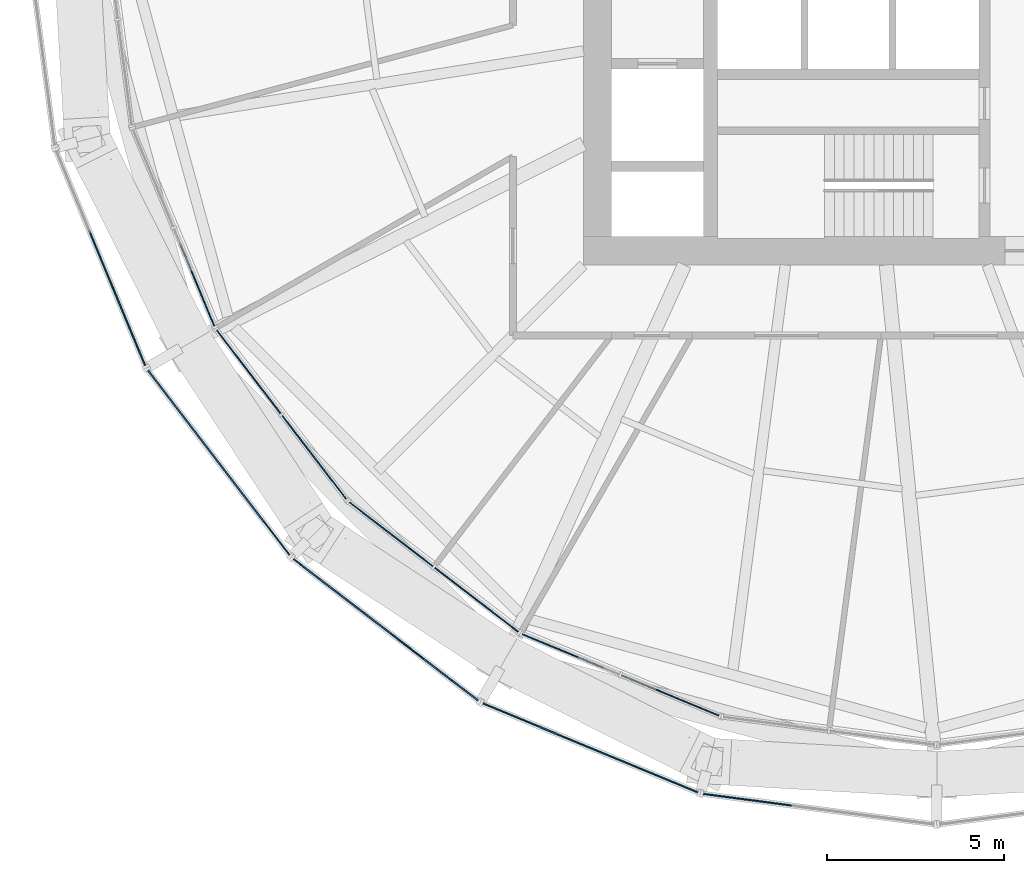
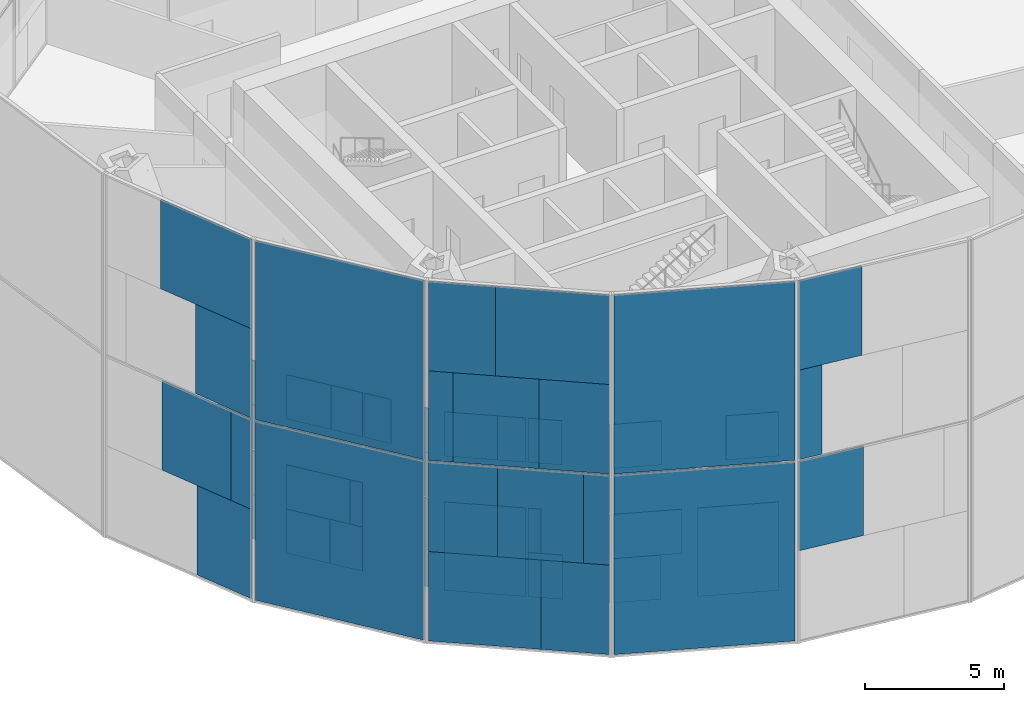
# One storey, part 10 of 22: 61 plates, 9 elements without a shape of their own.
"""IFC4 building model written with IfcOpenShell, lengths in metres."""

from ifc_helpers import new_model, si_unit, direction, frame, origin, origin_2d, place, context, subcontext, project, spatial, rectangle, extrude, material, layer, layer_set, type_object, element, aggregate, save


model = new_model("IFC4")

# Units and contexts
model_context = context("Model", 3, precision=1e-05, world=origin(), true_north=direction((0.0, 1.0)))
body_context = subcontext(model_context, "Body", "Model", "MODEL_VIEW")
ifc_project = project(units=[si_unit("LENGTHUNIT", "METRE"), si_unit("AREAUNIT", "SQUARE_METRE"), si_unit("VOLUMEUNIT", "CUBIC_METRE"), si_unit("PLANEANGLEUNIT", "RADIAN"), si_unit("MASSUNIT", "GRAM", prefix="KILO")], contexts=[model_context])

# Site, building, storey
site_placement = place(None, origin())
site = spatial("IfcSite", under=ifc_project, at=site_placement, CompositionType="ELEMENT")
building_placement = place(site_placement, origin())
building = spatial("IfcBuilding", under=site, at=building_placement, Name="Golbaran Civic Tower", CompositionType="ELEMENT")
storey_placement = place(building_placement, frame((0.0, 0.0, 53.0)))
storey = spatial("IfcBuildingStorey", under=building, at=storey_placement, Name="L12", CompositionType="ELEMENT", Elevation=53.0)

# Curtain wall, plates
ifc_material_1 = material(Name="Aluminium and glass", Category="aluminium")
curtain_wall_type_1 = type_object("IfcCurtainWallType", Name="INNER SKIN CURTAIN WALL", PredefinedType="NOTDEFINED", material=ifc_material_1)
curtain_wall_1_placement = place(storey_placement, origin())
curtain_wall_1 = element("IfcCurtainWall", 1, at=curtain_wall_1_placement, inside=storey, type_object=curtain_wall_type_1, Name="Inner skin L12 facet 14 CW1", ObjectType="INNER SKIN", PredefinedType="USERDEFINED")
ifc_material_2 = material(Name="Clear insulating glass", Category="glass")
ifc_layer_1 = layer(ifc_material_2, 0.031982421875, Name="Clear insulating glass")
ifc_layer_set_1 = layer_set([ifc_layer_1], Name="Clear insulating glass")
plate_type_1 = type_object("IfcPlateType", Name="INNER SKIN CURTAIN WALL GLAZED PANEL", PredefinedType="CURTAIN_PANEL", material=ifc_layer_set_1)
plate_1_placement = place(storey_placement, frame((-20.63232421875, -11.292724609375, 4.032470703125), z_axis=(0.0, 0.0, 1.0), x_axis=(0.382683432413, -0.923879532491, 0.0)))
plate_1 = element("IfcPlate", 2, at=plate_1_placement, type_object=plate_type_1, Name="CW1 panel 2.2 part 2", PredefinedType="CURTAIN_PANEL", context=body_context, shape_type="SweptSolid", body=[
    extrude(rectangle(XDim=0.951904296875, YDim=0.031982421875, at=origin_2d()), origin(), (0.0, 0.0, 1.0), 1.951171875),
])
plate_2_placement = place(storey_placement, frame((-20.783203125, -10.92822265625, 5.98388671875), z_axis=(0.0, 0.0, 1.0), x_axis=(0.382683432413, -0.923879532491, 0.0)))
plate_2 = element("IfcPlate", 3, at=plate_2_placement, type_object=plate_type_1, Name="CW1 panel 2.2 part 4", PredefinedType="CURTAIN_PANEL", context=body_context, shape_type="SweptSolid", body=[
    extrude(rectangle(XDim=1.740966796875, YDim=0.031982421875, at=origin_2d()), origin(), (0.0, 0.0, 1.0), 1.951171875),
])

curtain_wall_2_placement = place(storey_placement, origin())
curtain_wall_2 = element("IfcCurtainWall", 4, at=curtain_wall_2_placement, inside=storey, type_object=curtain_wall_type_1, Name="Inner skin L12 facet 15 CW1", ObjectType="INNER SKIN", PredefinedType="USERDEFINED")
plate_3_placement = place(storey_placement, frame((-18.957763671875, -13.704833984375, 0.06494140625), z_axis=(0.0, 0.0, 1.0), x_axis=(0.608761429036, -0.79335334027, 0.0)))
plate_3 = element("IfcPlate", 5, at=plate_3_placement, type_object=plate_type_1, Name="CW1 panel 1.1 part 2", PredefinedType="CURTAIN_PANEL", context=body_context, shape_type="SweptSolid", body=[
    extrude(rectangle(XDim=1.27099609375, YDim=0.031982421875, at=origin_2d()), origin(), (0.0, 0.0, 1.0), 1.951171875),
])
plate_4_placement = place(storey_placement, frame((-18.71875, -14.016357421875, 2.016357421875), z_axis=(0.0, 0.0, 1.0), x_axis=(0.608761429036, -0.79335334027, 0.0)))
plate_4 = element("IfcPlate", 6, at=plate_4_placement, type_object=plate_type_1, Name="CW1 panel 1.1 part 4", PredefinedType="CURTAIN_PANEL", context=body_context, shape_type="SweptSolid", body=[
    extrude(rectangle(XDim=0.48583984375, YDim=0.031982421875, at=origin_2d()), origin(), (0.0, 0.0, 1.0), 1.951171875),
])
plate_5_placement = place(storey_placement, frame((-20.095947265625, -12.2216796875, 4.032470703125), z_axis=(0.0, 0.0, 1.0), x_axis=(0.608761429036, -0.79335334027, 0.0)))
plate_5 = element("IfcPlate", 7, at=plate_5_placement, type_object=plate_type_1, Name="CW1 panel 1.2 part 1", PredefinedType="CURTAIN_PANEL", context=body_context, shape_type="SweptSolid", body=[
    extrude(rectangle(XDim=0.951904296875, YDim=0.031982421875, at=origin_2d()), origin(), (0.0, 0.0, 1.0), 1.951171875),
])
plate_6_placement = place(storey_placement, frame((-19.855712890625, -12.53466796875, 5.98388671875), z_axis=(0.0, 0.0, 1.0), x_axis=(0.608761429036, -0.79335334027, 0.0)))
plate_6 = element("IfcPlate", 8, at=plate_6_placement, type_object=plate_type_1, Name="CW1 panel 1.2 part 3", PredefinedType="CURTAIN_PANEL", context=body_context, shape_type="SweptSolid", body=[
    extrude(rectangle(XDim=1.740966796875, YDim=0.031982421875, at=origin_2d()), origin(), (0.0, 0.0, 1.0), 1.951171875),
])
plate_7_placement = place(storey_placement, frame((-17.6240234375, -15.443115234375, 0.06494140625), z_axis=(0.0, 0.0, 1.0), x_axis=(0.608761429036, -0.79335334027, 0.0)))
plate_7 = element("IfcPlate", 9, at=plate_7_placement, type_object=plate_type_1, Name="CW1 panel 2.1", PredefinedType="CURTAIN_PANEL", context=body_context, shape_type="SweptSolid", body=[
    extrude(rectangle(XDim=2.98095703125, YDim=0.031982421875, at=origin_2d()), origin(), (0.0, 0.0, 1.0), 3.902587890625),
])
plate_8_placement = place(storey_placement, frame((-17.502197265625, -15.601806640625, 4.032470703125), z_axis=(0.0, 0.0, 1.0), x_axis=(0.608761429036, -0.79335334027, 0.0)))
plate_8 = element("IfcPlate", 10, at=plate_8_placement, type_object=plate_type_1, Name="CW1 panel 2.2 part 2", PredefinedType="CURTAIN_PANEL", context=body_context, shape_type="SweptSolid", body=[
    extrude(rectangle(XDim=2.5810546875, YDim=0.031982421875, at=origin_2d()), origin(), (0.0, 0.0, 1.0), 1.951171875),
])
plate_9_placement = place(storey_placement, frame((-17.305908203125, -15.857666015625, 5.98388671875), z_axis=(0.0, 0.0, 1.0), x_axis=(0.608761429036, -0.79335334027, 0.0)))
plate_9 = element("IfcPlate", 11, at=plate_9_placement, type_object=plate_type_1, Name="CW1 panel 2.2 part 4", PredefinedType="CURTAIN_PANEL", context=body_context, shape_type="SweptSolid", body=[
    extrude(rectangle(XDim=1.93603515625, YDim=0.031982421875, at=origin_2d()), origin(), (0.0, 0.0, 1.0), 1.951171875),
])

curtain_wall_3_placement = place(storey_placement, origin())
curtain_wall_3 = element("IfcCurtainWall", 12, at=curtain_wall_3_placement, inside=storey, type_object=curtain_wall_type_1, Name="Inner skin L12 facet 16 CW1", ObjectType="INNER SKIN", PredefinedType="USERDEFINED")
plate_10_placement = place(storey_placement, frame((-15.443115234375, -17.6240234375, 0.06494140625), z_axis=(0.0, 0.0, 1.0), x_axis=(0.79335334027, -0.608761429036, 0.0)))
plate_10 = element("IfcPlate", 13, at=plate_10_placement, type_object=plate_type_1, Name="CW1 panel 1.1", PredefinedType="CURTAIN_PANEL", context=body_context, shape_type="SweptSolid", body=[
    extrude(rectangle(XDim=2.98095703125, YDim=0.031982421875, at=origin_2d()), origin(), (0.0, 0.0, 1.0), 3.902587890625),
])
plate_11_placement = place(storey_placement, frame((-15.6025390625, -17.501708984375, 4.032470703125), z_axis=(0.0, 0.0, 1.0), x_axis=(0.79335334027, -0.608761429036, 0.0)))
plate_11 = element("IfcPlate", 14, at=plate_11_placement, type_object=plate_type_1, Name="CW1 panel 1.2 part 1", PredefinedType="CURTAIN_PANEL", context=body_context, shape_type="SweptSolid", body=[
    extrude(rectangle(XDim=2.5791015625, YDim=0.031982421875, at=origin_2d()), origin(), (0.0, 0.0, 1.0), 1.951171875),
])
plate_12_placement = place(storey_placement, frame((-15.857666015625, -17.305908203125, 5.98388671875), z_axis=(0.0, 0.0, 1.0), x_axis=(0.79335334027, -0.608761429036, 0.0)))
plate_12 = element("IfcPlate", 15, at=plate_12_placement, type_object=plate_type_1, Name="CW1 panel 1.2 part 3", PredefinedType="CURTAIN_PANEL", context=body_context, shape_type="SweptSolid", body=[
    extrude(rectangle(XDim=1.93603515625, YDim=0.031982421875, at=origin_2d()), origin(), (0.0, 0.0, 1.0), 1.951171875),
])
plate_13_placement = place(storey_placement, frame((-13.704833984375, -18.957763671875, 0.06494140625), z_axis=(0.0, 0.0, 1.0), x_axis=(0.79335334027, -0.608761429036, 0.0)))
plate_13 = element("IfcPlate", 16, at=plate_13_placement, type_object=plate_type_1, Name="CW1 panel 2.1 part 1", PredefinedType="CURTAIN_PANEL", context=body_context, shape_type="SweptSolid", body=[
    extrude(rectangle(XDim=1.27099609375, YDim=0.031982421875, at=origin_2d()), origin(), (0.0, 0.0, 1.0), 1.951171875),
])
plate_14_placement = place(storey_placement, frame((-14.016357421875, -18.718994140625, 2.016357421875), z_axis=(0.0, 0.0, 1.0), x_axis=(0.79335334027, -0.608761429036, 0.0)))
plate_14 = element("IfcPlate", 17, at=plate_14_placement, type_object=plate_type_1, Name="CW1 panel 2.1 part 3", PredefinedType="CURTAIN_PANEL", context=body_context, shape_type="SweptSolid", body=[
    extrude(rectangle(XDim=0.486083984375, YDim=0.031982421875, at=origin_2d()), origin(), (0.0, 0.0, 1.0), 1.951171875),
])
plate_15_placement = place(storey_placement, frame((-12.2216796875, -20.095947265625, 4.032470703125), z_axis=(0.0, 0.0, 1.0), x_axis=(0.79335334027, -0.608761429036, 0.0)))
plate_15 = element("IfcPlate", 18, at=plate_15_placement, type_object=plate_type_1, Name="CW1 panel 2.2 part 2", PredefinedType="CURTAIN_PANEL", context=body_context, shape_type="SweptSolid", body=[
    extrude(rectangle(XDim=0.951904296875, YDim=0.031982421875, at=origin_2d()), origin(), (0.0, 0.0, 1.0), 1.951171875),
])
plate_16_placement = place(storey_placement, frame((-12.53466796875, -19.855712890625, 5.98388671875), z_axis=(0.0, 0.0, 1.0), x_axis=(0.79335334027, -0.608761429036, 0.0)))
plate_16 = element("IfcPlate", 19, at=plate_16_placement, type_object=plate_type_1, Name="CW1 panel 2.2 part 4", PredefinedType="CURTAIN_PANEL", context=body_context, shape_type="SweptSolid", body=[
    extrude(rectangle(XDim=1.740966796875, YDim=0.031982421875, at=origin_2d()), origin(), (0.0, 0.0, 1.0), 1.951171875),
])

curtain_wall_4_placement = place(storey_placement, origin())
curtain_wall_4 = element("IfcCurtainWall", 20, at=curtain_wall_4_placement, inside=storey, type_object=curtain_wall_type_1, Name="Inner skin L12 facet 17 CW1", ObjectType="INNER SKIN", PredefinedType="USERDEFINED")
plate_17_placement = place(storey_placement, frame((-11.292724609375, -20.63232421875, 4.032470703125), z_axis=(0.0, 0.0, 1.0), x_axis=(0.923879532491, -0.382683432413, 0.0)))
plate_17 = element("IfcPlate", 21, at=plate_17_placement, type_object=plate_type_1, Name="CW1 panel 1.2 part 1", PredefinedType="CURTAIN_PANEL", context=body_context, shape_type="SweptSolid", body=[
    extrude(rectangle(XDim=0.951904296875, YDim=0.031982421875, at=origin_2d()), origin(), (0.0, 0.0, 1.0), 1.951171875),
])
plate_18_placement = place(storey_placement, frame((-10.92822265625, -20.783203125, 5.98388671875), z_axis=(0.0, 0.0, 1.0), x_axis=(0.923879532491, -0.382683432413, 0.0)))
plate_18 = element("IfcPlate", 22, at=plate_18_placement, type_object=plate_type_1, Name="CW1 panel 1.2 part 3", PredefinedType="CURTAIN_PANEL", context=body_context, shape_type="SweptSolid", body=[
    extrude(rectangle(XDim=1.740966796875, YDim=0.031982421875, at=origin_2d()), origin(), (0.0, 0.0, 1.0), 1.951171875),
])
plate_19_placement = place(storey_placement, frame((-7.541259765625, -22.18603515625, 0.06494140625), z_axis=(0.0, 0.0, 1.0), x_axis=(0.923879532491, -0.382683432413, 0.0)))
plate_19 = element("IfcPlate", 23, at=plate_19_placement, type_object=plate_type_1, Name="CW1 panel 2.1", PredefinedType="CURTAIN_PANEL", context=body_context, shape_type="SweptSolid", body=[
    extrude(rectangle(XDim=2.98095703125, YDim=0.031982421875, at=origin_2d()), origin(), (0.0, 0.0, 1.0), 3.902587890625),
])
plate_20_placement = place(storey_placement, frame((-7.3564453125, -22.2626953125, 4.032470703125), z_axis=(0.0, 0.0, 1.0), x_axis=(0.923879532491, -0.382683432413, 0.0)))
plate_20 = element("IfcPlate", 24, at=plate_20_placement, type_object=plate_type_1, Name="CW1 panel 2.2 part 2", PredefinedType="CURTAIN_PANEL", context=body_context, shape_type="SweptSolid", body=[
    extrude(rectangle(XDim=2.5810546875, YDim=0.031982421875, at=origin_2d()), origin(), (0.0, 0.0, 1.0), 1.951171875),
])
plate_21_placement = place(storey_placement, frame((-7.05859375, -22.385986328125, 5.98388671875), z_axis=(0.0, 0.0, 1.0), x_axis=(0.923879532491, -0.382683432413, 0.0)))
plate_21 = element("IfcPlate", 25, at=plate_21_placement, type_object=plate_type_1, Name="CW1 panel 2.2 part 4", PredefinedType="CURTAIN_PANEL", context=body_context, shape_type="SweptSolid", body=[
    extrude(rectangle(XDim=1.93603515625, YDim=0.031982421875, at=origin_2d()), origin(), (0.0, 0.0, 1.0), 1.951171875),
])

# Plate
ifc_material_3 = material(Name="Aluminium faced opaque infill panel", Category="aluminium")
ifc_layer_2 = layer(ifc_material_3, 0.031982421875, Name="Aluminium faced opaque infill panel")
ifc_layer_set_2 = layer_set([ifc_layer_2], Name="Aluminium faced opaque infill panel")
plate_type_2 = type_object("IfcPlateType", Name="INNER SKIN CURTAIN WALL OPAQUE INFILL PANEL", PredefinedType="CURTAIN_PANEL", material=ifc_layer_set_2)
plate_22_placement = place(storey_placement, frame((-20.77734375, -10.942626953125, 0.06494140625), z_axis=(0.0, 0.0, 1.0), x_axis=(0.382683432413, -0.923879532491, 0.0)))
plate_22 = element("IfcPlate", 26, at=plate_22_placement, type_object=plate_type_2, Name="CW1 infill panel 2.1 part 2", PredefinedType="CURTAIN_PANEL", context=body_context, shape_type="SweptSolid", body=[
    extrude(rectangle(XDim=1.7099609375, YDim=0.031982421875, at=origin_2d()), origin(), (0.0, 0.0, 1.0), 1.951171875),
])

plate_23_placement = place(storey_placement, frame((-20.927490234375, -10.579833984375, 2.016357421875), z_axis=(0.0, 0.0, 1.0), x_axis=(0.382683432413, -0.923879532491, 0.0)))
plate_23 = element("IfcPlate", 27, at=plate_23_placement, type_object=plate_type_2, Name="CW1 infill panel 2.1 part 4", PredefinedType="CURTAIN_PANEL", context=body_context, shape_type="SweptSolid", body=[
    extrude(rectangle(XDim=2.494873046875, YDim=0.031982421875, at=origin_2d()), origin(), (0.0, 0.0, 1.0), 1.951171875),
])

plate_24_placement = place(storey_placement, frame((-21.20263671875, -9.915771484375, 4.032470703125), z_axis=(0.0, 0.0, 1.0), x_axis=(0.382683432413, -0.923879532491, 0.0)))
plate_24 = element("IfcPlate", 28, at=plate_24_placement, type_object=plate_type_2, Name="CW1 infill panel 2.2 part 1", PredefinedType="CURTAIN_PANEL", context=body_context, shape_type="SweptSolid", body=[
    extrude(rectangle(XDim=2.029052734375, YDim=0.031982421875, at=origin_2d()), origin(), (0.0, 0.0, 1.0), 1.951171875),
])

aggregate(curtain_wall_1, [plate_22, plate_23, plate_24, plate_1, plate_2])

plate_25_placement = place(storey_placement, frame((-19.865234375, -12.5224609375, 0.06494140625), z_axis=(0.0, 0.0, 1.0), x_axis=(0.608761429036, -0.79335334027, 0.0)))
plate_25 = element("IfcPlate", 29, at=plate_25_placement, type_object=plate_type_2, Name="CW1 infill panel 1.1 part 1", PredefinedType="CURTAIN_PANEL", context=body_context, shape_type="SweptSolid", body=[
    extrude(rectangle(XDim=1.7099609375, YDim=0.031982421875, at=origin_2d()), origin(), (0.0, 0.0, 1.0), 1.951171875),
])

plate_26_placement = place(storey_placement, frame((-19.626220703125, -12.833740234375, 2.016357421875), z_axis=(0.0, 0.0, 1.0), x_axis=(0.608761429036, -0.79335334027, 0.0)))
plate_26 = element("IfcPlate", 30, at=plate_26_placement, type_object=plate_type_2, Name="CW1 infill panel 1.1 part 3", PredefinedType="CURTAIN_PANEL", context=body_context, shape_type="SweptSolid", body=[
    extrude(rectangle(XDim=2.4951171875, YDim=0.031982421875, at=origin_2d()), origin(), (0.0, 0.0, 1.0), 1.951171875),
])

plate_27_placement = place(storey_placement, frame((-19.1884765625, -13.404296875, 4.032470703125), z_axis=(0.0, 0.0, 1.0), x_axis=(0.608761429036, -0.79335334027, 0.0)))
plate_27 = element("IfcPlate", 31, at=plate_27_placement, type_object=plate_type_2, Name="CW1 infill panel 1.2 part 2", PredefinedType="CURTAIN_PANEL", context=body_context, shape_type="SweptSolid", body=[
    extrude(rectangle(XDim=2.029052734375, YDim=0.031982421875, at=origin_2d()), origin(), (0.0, 0.0, 1.0), 1.951171875),
])

plate_28_placement = place(storey_placement, frame((-18.948486328125, -13.717041015625, 5.98388671875), z_axis=(0.0, 0.0, 1.0), x_axis=(0.608761429036, -0.79335334027, 0.0)))
plate_28 = element("IfcPlate", 32, at=plate_28_placement, type_object=plate_type_2, Name="CW1 infill panel 1.2 part 4", PredefinedType="CURTAIN_PANEL", context=body_context, shape_type="SweptSolid", body=[
    extrude(rectangle(XDim=1.239990234375, YDim=0.031982421875, at=origin_2d()), origin(), (0.0, 0.0, 1.0), 1.951171875),
])

plate_29_placement = place(storey_placement, frame((-18.40966796875, -14.419189453125, 4.032470703125), z_axis=(0.0, 0.0, 1.0), x_axis=(0.608761429036, -0.79335334027, 0.0)))
plate_29 = element("IfcPlate", 33, at=plate_29_placement, type_object=plate_type_2, Name="CW1 infill panel 2.2 part 1", PredefinedType="CURTAIN_PANEL", context=body_context, shape_type="SweptSolid", body=[
    extrude(rectangle(XDim=0.39990234375, YDim=0.031982421875, at=origin_2d()), origin(), (0.0, 0.0, 1.0), 1.951171875),
])

plate_30_placement = place(storey_placement, frame((-18.21337890625, -14.675048828125, 5.98388671875), z_axis=(0.0, 0.0, 1.0), x_axis=(0.608761429036, -0.79335334027, 0.0)))
plate_30 = element("IfcPlate", 34, at=plate_30_placement, type_object=plate_type_2, Name="CW1 infill panel 2.2 part 3", PredefinedType="CURTAIN_PANEL", context=body_context, shape_type="SweptSolid", body=[
    extrude(rectangle(XDim=1.044921875, YDim=0.031982421875, at=origin_2d()), origin(), (0.0, 0.0, 1.0), 1.951171875),
])

aggregate(curtain_wall_2, [plate_25, plate_3, plate_26, plate_4, plate_5, plate_27, plate_6, plate_28, plate_7, plate_29, plate_8, plate_30, plate_9])

plate_31_placement = place(storey_placement, frame((-14.419921875, -18.408935546875, 4.032470703125), z_axis=(0.0, 0.0, 1.0), x_axis=(0.79335334027, -0.608761429036, 0.0)))
plate_31 = element("IfcPlate", 35, at=plate_31_placement, type_object=plate_type_2, Name="CW1 infill panel 1.2 part 2", PredefinedType="CURTAIN_PANEL", context=body_context, shape_type="SweptSolid", body=[
    extrude(rectangle(XDim=0.40185546875, YDim=0.031982421875, at=origin_2d()), origin(), (0.0, 0.0, 1.0), 1.951171875),
])

plate_32_placement = place(storey_placement, frame((-14.675048828125, -18.21337890625, 5.98388671875), z_axis=(0.0, 0.0, 1.0), x_axis=(0.79335334027, -0.608761429036, 0.0)))
plate_32 = element("IfcPlate", 36, at=plate_32_placement, type_object=plate_type_2, Name="CW1 infill panel 1.2 part 4", PredefinedType="CURTAIN_PANEL", context=body_context, shape_type="SweptSolid", body=[
    extrude(rectangle(XDim=1.044921875, YDim=0.031982421875, at=origin_2d()), origin(), (0.0, 0.0, 1.0), 1.951171875),
])

plate_33_placement = place(storey_placement, frame((-12.5224609375, -19.865234375, 0.06494140625), z_axis=(0.0, 0.0, 1.0), x_axis=(0.79335334027, -0.608761429036, 0.0)))
plate_33 = element("IfcPlate", 37, at=plate_33_placement, type_object=plate_type_2, Name="CW1 infill panel 2.1 part 2", PredefinedType="CURTAIN_PANEL", context=body_context, shape_type="SweptSolid", body=[
    extrude(rectangle(XDim=1.7099609375, YDim=0.031982421875, at=origin_2d()), origin(), (0.0, 0.0, 1.0), 1.951171875),
])

plate_34_placement = place(storey_placement, frame((-12.833740234375, -19.626220703125, 2.016357421875), z_axis=(0.0, 0.0, 1.0), x_axis=(0.79335334027, -0.608761429036, 0.0)))
plate_34 = element("IfcPlate", 38, at=plate_34_placement, type_object=plate_type_2, Name="CW1 infill panel 2.1 part 4", PredefinedType="CURTAIN_PANEL", context=body_context, shape_type="SweptSolid", body=[
    extrude(rectangle(XDim=2.494873046875, YDim=0.031982421875, at=origin_2d()), origin(), (0.0, 0.0, 1.0), 1.951171875),
])

plate_35_placement = place(storey_placement, frame((-13.404052734375, -19.1884765625, 4.032470703125), z_axis=(0.0, 0.0, 1.0), x_axis=(0.79335334027, -0.608761429036, 0.0)))
plate_35 = element("IfcPlate", 39, at=plate_35_placement, type_object=plate_type_2, Name="CW1 infill panel 2.2 part 1", PredefinedType="CURTAIN_PANEL", context=body_context, shape_type="SweptSolid", body=[
    extrude(rectangle(XDim=2.029052734375, YDim=0.031982421875, at=origin_2d()), origin(), (0.0, 0.0, 1.0), 1.951171875),
])

plate_36_placement = place(storey_placement, frame((-13.717041015625, -18.948486328125, 5.98388671875), z_axis=(0.0, 0.0, 1.0), x_axis=(0.79335334027, -0.608761429036, 0.0)))
plate_36 = element("IfcPlate", 40, at=plate_36_placement, type_object=plate_type_2, Name="CW1 infill panel 2.2 part 3", PredefinedType="CURTAIN_PANEL", context=body_context, shape_type="SweptSolid", body=[
    extrude(rectangle(XDim=1.239990234375, YDim=0.031982421875, at=origin_2d()), origin(), (0.0, 0.0, 1.0), 1.951171875),
])

aggregate(curtain_wall_3, [plate_10, plate_11, plate_31, plate_12, plate_32, plate_13, plate_33, plate_14, plate_34, plate_35, plate_15, plate_36, plate_16])

plate_37_placement = place(storey_placement, frame((-10.942626953125, -20.77734375, 0.06494140625), z_axis=(0.0, 0.0, 1.0), x_axis=(0.923879532491, -0.382683432413, 0.0)))
plate_37 = element("IfcPlate", 41, at=plate_37_placement, type_object=plate_type_2, Name="CW1 infill panel 1.1 part 1", PredefinedType="CURTAIN_PANEL", context=body_context, shape_type="SweptSolid", body=[
    extrude(rectangle(XDim=1.7099609375, YDim=0.031982421875, at=origin_2d()), origin(), (0.0, 0.0, 1.0), 1.951171875),
])

plate_38_placement = place(storey_placement, frame((-10.579833984375, -20.927490234375, 2.016357421875), z_axis=(0.0, 0.0, 1.0), x_axis=(0.923879532491, -0.382683432413, 0.0)))
plate_38 = element("IfcPlate", 42, at=plate_38_placement, type_object=plate_type_2, Name="CW1 infill panel 1.1 part 3", PredefinedType="CURTAIN_PANEL", context=body_context, shape_type="SweptSolid", body=[
    extrude(rectangle(XDim=2.4951171875, YDim=0.031982421875, at=origin_2d()), origin(), (0.0, 0.0, 1.0), 1.951171875),
])

plate_39_placement = place(storey_placement, frame((-9.915771484375, -21.20263671875, 4.032470703125), z_axis=(0.0, 0.0, 1.0), x_axis=(0.923879532491, -0.382683432413, 0.0)))
plate_39 = element("IfcPlate", 43, at=plate_39_placement, type_object=plate_type_2, Name="CW1 infill panel 1.2 part 2", PredefinedType="CURTAIN_PANEL", context=body_context, shape_type="SweptSolid", body=[
    extrude(rectangle(XDim=2.029052734375, YDim=0.031982421875, at=origin_2d()), origin(), (0.0, 0.0, 1.0), 1.951171875),
])

aggregate(curtain_wall_4, [plate_37, plate_38, plate_17, plate_39, plate_18, plate_19, plate_20, plate_21])

# Curtain wall, plates
curtain_wall_type_2 = type_object("IfcCurtainWallType", Name="OUTER SKIN TERRACOTTA SCREEN", PredefinedType="NOTDEFINED", material=ifc_material_1)
curtain_wall_5_placement = place(storey_placement, origin())
curtain_wall_5 = element("IfcCurtainWall", 44, at=curtain_wall_5_placement, inside=storey, type_object=curtain_wall_type_2, Name="Outer skin L12 facet 14 CW3", ObjectType="OUTER SKIN", PredefinedType="USERDEFINED")
ifc_material_4 = material(Name="Clear laminated glass", Category="glass")
ifc_layer_3 = layer(ifc_material_4, 0.0400390625, Name="Clear laminated glass")
ifc_layer_set_3 = layer_set([ifc_layer_3], Name="Clear laminated glass")
plate_type_3 = type_object("IfcPlateType", Name="OUTER SKIN CLEAR GLASS PANEL", PredefinedType="CURTAIN_PANEL", material=ifc_layer_set_3)
plate_40_placement = place(storey_placement, frame((-22.588623046875, -12.414306640625, 3.31005859375), z_axis=(0.0, 0.0, 1.0), x_axis=(0.382683432349, -0.923879532518, 0.0)))
plate_40 = element("IfcPlate", 45, at=plate_40_placement, type_object=plate_type_3, Name="CW3 panel 1.1 part 5", PredefinedType="CURTAIN_PANEL", context=body_context, shape_type="SweptSolid", body=[
    extrude(rectangle(XDim=0.935791015625, YDim=0.0400390625, at=origin_2d()), origin(), (0.0, 0.0, 1.0), 3.93994140625),
])
plate_41_placement = place(storey_placement, frame((-22.89794921875, -11.667236328125, 7.330078125), z_axis=(0.0, 0.0, 1.0), x_axis=(0.382683432349, -0.923879532518, 0.0)))
plate_41 = element("IfcPlate", 46, at=plate_41_placement, type_object=plate_type_3, Name="CW3 panel 1.2 part 3", PredefinedType="CURTAIN_PANEL", context=body_context, shape_type="SweptSolid", body=[
    extrude(rectangle(XDim=2.552734375, YDim=0.0400390625, at=origin_2d()), origin(), (0.0, 0.0, 1.0), 3.93994140625),
])
plate_42_placement = place(storey_placement, frame((-23.201416015625, -10.93505859375, 11.27001953125), z_axis=(0.0, 0.0, 1.0), x_axis=(0.382683432349, -0.923879532518, 0.0)))
plate_42 = element("IfcPlate", 47, at=plate_42_placement, type_object=plate_type_3, Name="CW3 panel 1.2 part 5", PredefinedType="CURTAIN_PANEL", context=body_context, shape_type="SweptSolid", body=[
    extrude(rectangle(XDim=4.137939453125, YDim=0.0400390625, at=origin_2d()), origin(), (0.0, 0.0, 1.0), 3.93994140625),
])

curtain_wall_6_placement = place(storey_placement, origin())
curtain_wall_6 = element("IfcCurtainWall", 48, at=curtain_wall_6_placement, inside=storey, type_object=curtain_wall_type_2, Name="Outer skin L12 facet 16 CW3", ObjectType="OUTER SKIN", PredefinedType="USERDEFINED")
plate_43_placement = place(storey_placement, frame((-16.58056640625, -19.570556640625, -0.6298828125), z_axis=(0.0, 0.0, 1.0), x_axis=(0.793353340355, -0.608761428926, 0.0)))
plate_43 = element("IfcPlate", 49, at=plate_43_placement, type_object=plate_type_3, Name="CW3 panel 1.1 part 1", PredefinedType="CURTAIN_PANEL", context=body_context, shape_type="SweptSolid", body=[
    extrude(rectangle(XDim=4.10498046875, YDim=0.0400390625, at=origin_2d()), origin(), (0.0, 0.0, 1.0), 3.93994140625),
])
plate_44_placement = place(storey_placement, frame((-17.212890625, -19.08544921875, 3.31005859375), z_axis=(0.0, 0.0, 1.0), x_axis=(0.793353340355, -0.608761428926, 0.0)))
plate_44 = element("IfcPlate", 50, at=plate_44_placement, type_object=plate_type_3, Name="CW3 panel 1.1 part 3", PredefinedType="CURTAIN_PANEL", context=body_context, shape_type="SweptSolid", body=[
    extrude(rectangle(XDim=2.510986328125, YDim=0.0400390625, at=origin_2d()), origin(), (0.0, 0.0, 1.0), 3.93994140625),
])
plate_45_placement = place(storey_placement, frame((-13.355224609375, -22.04541015625, 3.31005859375), z_axis=(0.0, 0.0, 1.0), x_axis=(0.793353340355, -0.608761428926, 0.0)))
plate_45 = element("IfcPlate", 51, at=plate_45_placement, type_object=plate_type_3, Name="CW3 panel 1.1 part 5", PredefinedType="CURTAIN_PANEL", context=body_context, shape_type="SweptSolid", body=[
    extrude(rectangle(XDim=0.935791015625, YDim=0.0400390625, at=origin_2d()), origin(), (0.0, 0.0, 1.0), 3.93994140625),
])
plate_46_placement = place(storey_placement, frame((-17.857421875, -18.5908203125, 7.330078125), z_axis=(0.0, 0.0, 1.0), x_axis=(0.793353340355, -0.608761428926, 0.0)))
plate_46 = element("IfcPlate", 52, at=plate_46_placement, type_object=plate_type_3, Name="CW3 panel 1.2 part 1", PredefinedType="CURTAIN_PANEL", context=body_context, shape_type="SweptSolid", body=[
    extrude(rectangle(XDim=0.885986328125, YDim=0.0400390625, at=origin_2d()), origin(), (0.0, 0.0, 1.0), 3.93994140625),
])
plate_47_placement = place(storey_placement, frame((-13.99658203125, -21.55322265625, 7.330078125), z_axis=(0.0, 0.0, 1.0), x_axis=(0.793353340355, -0.608761428926, 0.0)))
plate_47 = element("IfcPlate", 53, at=plate_47_placement, type_object=plate_type_3, Name="CW3 panel 1.2 part 3", PredefinedType="CURTAIN_PANEL", context=body_context, shape_type="SweptSolid", body=[
    extrude(rectangle(XDim=2.552734375, YDim=0.0400390625, at=origin_2d()), origin(), (0.0, 0.0, 1.0), 3.93994140625),
])
plate_48_placement = place(storey_placement, frame((-14.625244140625, -21.07080078125, 11.27001953125), z_axis=(0.0, 0.0, 1.0), x_axis=(0.793353340355, -0.608761428926, 0.0)))
plate_48 = element("IfcPlate", 54, at=plate_48_placement, type_object=plate_type_3, Name="CW3 panel 1.2 part 5", PredefinedType="CURTAIN_PANEL", context=body_context, shape_type="SweptSolid", body=[
    extrude(rectangle(XDim=4.137939453125, YDim=0.0400390625, at=origin_2d()), origin(), (0.0, 0.0, 1.0), 3.93994140625),
])

curtain_wall_7_placement = place(storey_placement, origin())
curtain_wall_7 = element("IfcCurtainWall", 55, at=curtain_wall_7_placement, inside=storey, type_object=curtain_wall_type_2, Name="Outer skin L12 facet 18 CW3", ObjectType="OUTER SKIN", PredefinedType="USERDEFINED")
plate_49_placement = place(storey_placement, frame((-5.364013671875, -25.134765625, 3.31005859375), z_axis=(0.0, 0.0, 1.0), x_axis=(0.991444861369, -0.130526192255, 0.0)))
plate_49 = element("IfcPlate", 56, at=plate_49_placement, type_object=plate_type_3, Name="CW3 panel 1.1 part 3", PredefinedType="CURTAIN_PANEL", context=body_context, shape_type="SweptSolid", body=[
    extrude(rectangle(XDim=2.510986328125, YDim=0.0400390625, at=origin_2d()), origin(), (0.0, 0.0, 1.0), 3.93994140625),
])
plate_50_placement = place(storey_placement, frame((-6.169677734375, -25.02880859375, 7.330078125), z_axis=(0.0, 0.0, 1.0), x_axis=(0.991444861369, -0.130526192255, 0.0)))
plate_50 = element("IfcPlate", 57, at=plate_50_placement, type_object=plate_type_3, Name="CW3 panel 1.2 part 1", PredefinedType="CURTAIN_PANEL", context=body_context, shape_type="SweptSolid", body=[
    extrude(rectangle(XDim=0.885986328125, YDim=0.0400390625, at=origin_2d()), origin(), (0.0, 0.0, 1.0), 3.93994140625),
])

# Plate
ifc_material_5 = material(Name="Terracotta baguette screen", Category="masonry")
ifc_layer_4 = layer(ifc_material_5, 0.0400390625, Name="Terracotta baguette screen")
ifc_layer_set_4 = layer_set([ifc_layer_4], Name="Terracotta baguette screen")
plate_type_4 = type_object("IfcPlateType", Name="OUTER SKIN TERRACOTTA INFILL PANEL", PredefinedType="CURTAIN_PANEL", material=ifc_layer_set_4)
plate_51_placement = place(storey_placement, frame((-22.88427734375, -11.70068359375, -0.6298828125), z_axis=(0.0, 0.0, 1.0), x_axis=(0.382683432349, -0.923879532518, 0.0)))
plate_51 = element("IfcPlate", 58, at=plate_51_placement, type_object=plate_type_4, Name="CW3 infill panel 1.1 part 2", PredefinedType="CURTAIN_PANEL", context=body_context, shape_type="SweptSolid", body=[
    extrude(rectangle(XDim=2.48095703125, YDim=0.0400390625, at=origin_2d()), origin(), (0.0, 0.0, 1.0), 3.93994140625),
])

plate_52_placement = place(storey_placement, frame((-23.368408203125, -10.531982421875, 3.31005859375), z_axis=(0.0, 0.0, 1.0), x_axis=(0.382683432349, -0.923879532518, 0.0)))
plate_52 = element("IfcPlate", 59, at=plate_52_placement, type_object=plate_type_4, Name="CW3 infill panel 1.1 part 4", PredefinedType="CURTAIN_PANEL", context=body_context, shape_type="SweptSolid", body=[
    extrude(rectangle(XDim=3.138916015625, YDim=0.0400390625, at=origin_2d()), origin(), (0.0, 0.0, 1.0), 3.93994140625),
])

aggregate(curtain_wall_5, [plate_51, plate_52, plate_40, plate_41, plate_42])

plate_53_placement = place(storey_placement, frame((-13.968017578125, -21.5751953125, -0.6298828125), z_axis=(0.0, 0.0, 1.0), x_axis=(0.793353340355, -0.608761428926, 0.0)))
plate_53 = element("IfcPlate", 60, at=plate_53_placement, type_object=plate_type_4, Name="CW3 infill panel 1.1 part 2", PredefinedType="CURTAIN_PANEL", context=body_context, shape_type="SweptSolid", body=[
    extrude(rectangle(XDim=2.48095703125, YDim=0.0400390625, at=origin_2d()), origin(), (0.0, 0.0, 1.0), 3.93994140625),
])

plate_54_placement = place(storey_placement, frame((-14.9716796875, -20.80517578125, 3.31005859375), z_axis=(0.0, 0.0, 1.0), x_axis=(0.793353340355, -0.608761428926, 0.0)))
plate_54 = element("IfcPlate", 61, at=plate_54_placement, type_object=plate_type_4, Name="CW3 infill panel 1.1 part 4", PredefinedType="CURTAIN_PANEL", context=body_context, shape_type="SweptSolid", body=[
    extrude(rectangle(XDim=3.138916015625, YDim=0.0400390625, at=origin_2d()), origin(), (0.0, 0.0, 1.0), 3.93994140625),
])

plate_55_placement = place(storey_placement, frame((-16.257568359375, -19.818359375, 7.330078125), z_axis=(0.0, 0.0, 1.0), x_axis=(0.793353340355, -0.608761428926, 0.0)))
plate_55 = element("IfcPlate", 62, at=plate_55_placement, type_object=plate_type_4, Name="CW3 infill panel 1.2 part 2", PredefinedType="CURTAIN_PANEL", context=body_context, shape_type="SweptSolid", body=[
    extrude(rectangle(XDim=3.14697265625, YDim=0.0400390625, at=origin_2d()), origin(), (0.0, 0.0, 1.0), 3.93994140625),
])

plate_56_placement = place(storey_placement, frame((-17.23779296875, -19.066162109375, 11.27001953125), z_axis=(0.0, 0.0, 1.0), x_axis=(0.793353340355, -0.608761428926, 0.0)))
plate_56 = element("IfcPlate", 63, at=plate_56_placement, type_object=plate_type_4, Name="CW3 infill panel 1.2 part 4", PredefinedType="CURTAIN_PANEL", context=body_context, shape_type="SweptSolid", body=[
    extrude(rectangle(XDim=2.447998046875, YDim=0.0400390625, at=origin_2d()), origin(), (0.0, 0.0, 1.0), 3.93994140625),
])

aggregate(curtain_wall_6, [plate_43, plate_53, plate_44, plate_54, plate_45, plate_46, plate_55, plate_47, plate_56, plate_48])

plate_57_placement = place(storey_placement, frame((-5.395263671875, -25.130615234375, 11.27001953125), z_axis=(0.0, 0.0, 1.0), x_axis=(0.991444861369, -0.130526192255, 0.0)))
plate_57 = element("IfcPlate", 64, at=plate_57_placement, type_object=plate_type_4, Name="CW3 infill panel 1.2 part 4", PredefinedType="CURTAIN_PANEL", context=body_context, shape_type="SweptSolid", body=[
    extrude(rectangle(XDim=2.447998046875, YDim=0.0400390625, at=origin_2d()), origin(), (0.0, 0.0, 1.0), 3.93994140625),
])

aggregate(curtain_wall_7, [plate_49, plate_50, plate_57])

# Curtain wall, plates
curtain_wall_8_placement = place(storey_placement, origin())
curtain_wall_8 = element("IfcCurtainWall", 65, at=curtain_wall_8_placement, inside=storey, type_object=curtain_wall_type_2, Name="Outer skin L12 facet 15 CW3", ObjectType="OUTER SKIN", PredefinedType="USERDEFINED")
ifc_layer_5 = layer(ifc_material_5, 0.0400390625, Name="Terracotta baguette screen")
ifc_layer_set_5 = layer_set([ifc_layer_5], Name="Terracotta baguette screen")
plate_type_5 = type_object("IfcPlateType", Name="OUTER SKIN TERRACOTTA SCREEN PANEL", PredefinedType="CURTAIN_PANEL", material=ifc_layer_set_5)
plate_58_placement = place(storey_placement, frame((-20.32568359375, -15.596435546875, -0.6298828125), z_axis=(0.0, 0.0, 1.0), x_axis=(0.608761428926, -0.793353340355, 0.0)))
plate_58 = element("IfcPlate", 66, at=plate_58_placement, type_object=plate_type_5, Name="CW3 terracotta screen panel 1.1", PredefinedType="CURTAIN_PANEL", context=body_context, shape_type="SweptSolid", body=[
    extrude(rectangle(XDim=6.5859375, YDim=0.0400390625, at=origin_2d()), origin(), (0.0, 0.0, 1.0), 7.8798828125),
])
plate_59_placement = place(storey_placement, frame((-20.32568359375, -15.596435546875, 7.330078125), z_axis=(0.0, 0.0, 1.0), x_axis=(0.608761428926, -0.793353340355, 0.0)))
plate_59 = element("IfcPlate", 67, at=plate_59_placement, type_object=plate_type_5, Name="CW3 terracotta screen panel 1.2", PredefinedType="CURTAIN_PANEL", context=body_context, shape_type="SweptSolid", body=[
    extrude(rectangle(XDim=6.5859375, YDim=0.0400390625, at=origin_2d()), origin(), (0.0, 0.0, 1.0), 7.8798828125),
])
aggregate(curtain_wall_8, [plate_58, plate_59])

curtain_wall_9_placement = place(storey_placement, origin())
curtain_wall_9 = element("IfcCurtainWall", 68, at=curtain_wall_9_placement, inside=storey, type_object=curtain_wall_type_2, Name="Outer skin L12 facet 17 CW3", ObjectType="OUTER SKIN", PredefinedType="USERDEFINED")
plate_60_placement = place(storey_placement, frame((-9.804443359375, -23.669677734375, -0.6298828125), z_axis=(0.0, 0.0, 1.0), x_axis=(0.923879532518, -0.382683432349, 0.0)))
plate_60 = element("IfcPlate", 69, at=plate_60_placement, type_object=plate_type_5, Name="CW3 terracotta screen panel 1.1", PredefinedType="CURTAIN_PANEL", context=body_context, shape_type="SweptSolid", body=[
    extrude(rectangle(XDim=6.5859375, YDim=0.0400390625, at=origin_2d()), origin(), (0.0, 0.0, 1.0), 7.8798828125),
])
plate_61_placement = place(storey_placement, frame((-9.804443359375, -23.669677734375, 7.330078125), z_axis=(0.0, 0.0, 1.0), x_axis=(0.923879532518, -0.382683432349, 0.0)))
plate_61 = element("IfcPlate", 70, at=plate_61_placement, type_object=plate_type_5, Name="CW3 terracotta screen panel 1.2", PredefinedType="CURTAIN_PANEL", context=body_context, shape_type="SweptSolid", body=[
    extrude(rectangle(XDim=6.5859375, YDim=0.0400390625, at=origin_2d()), origin(), (0.0, 0.0, 1.0), 7.8798828125),
])
aggregate(curtain_wall_9, [plate_60, plate_61])

save(model, "model.ifc")
